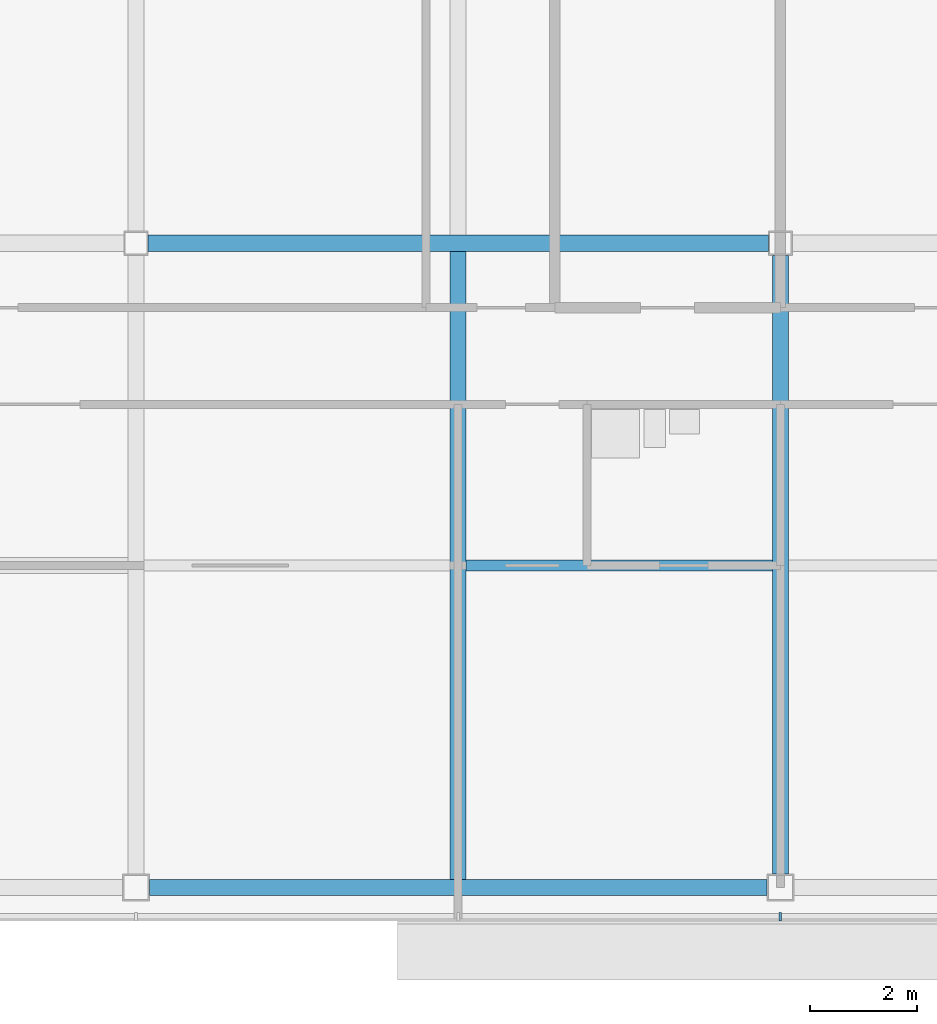
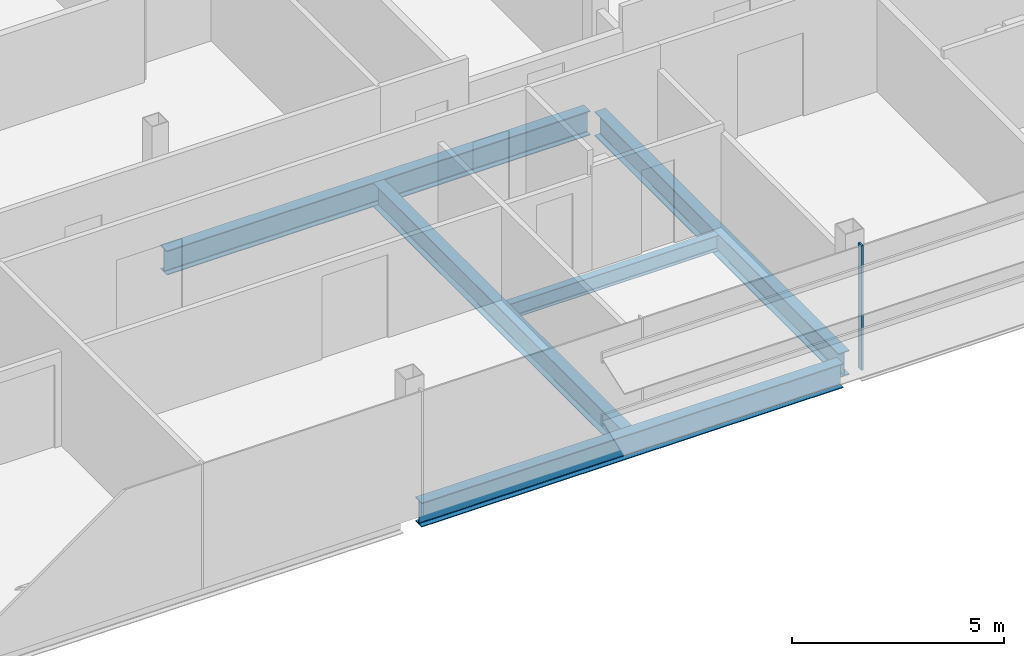
# One storey, part 5 of 27: 5 beams, 1 member, 1 element without a shape of its own.
"""IFC4 building model written with IfcOpenShell, lengths in metres."""

from ifc_helpers import new_model, si_unit, direction, frame, origin, origin_2d, place, context, subcontext, project, spatial, rectangle, i_section, extrude, material, material_profile, profile_set, type_object, element, aggregate, save


model = new_model("IFC4")

# Units and contexts
model_context = context("Model", 3, precision=1e-05, world=origin(), true_north=direction((0.0, 1.0)))
body_context = subcontext(model_context, "Body", "Model", "MODEL_VIEW")
ifc_project = project(units=[si_unit("LENGTHUNIT", "METRE"), si_unit("AREAUNIT", "SQUARE_METRE"), si_unit("VOLUMEUNIT", "CUBIC_METRE"), si_unit("PLANEANGLEUNIT", "RADIAN"), si_unit("MASSUNIT", "GRAM", prefix="KILO")], contexts=[model_context])

# Site, building, storey
site_placement = place(None, origin())
site = spatial("IfcSite", under=ifc_project, at=site_placement, CompositionType="ELEMENT")
building_placement = place(site_placement, origin())
building = spatial("IfcBuilding", under=site, at=building_placement, Name="Sorahane Residences", CompositionType="ELEMENT")
storey_placement = place(building_placement, frame((0.0, 0.0, 323.199951171875)))
storey = spatial("IfcBuildingStorey", under=building, at=storey_placement, Name="L77", CompositionType="ELEMENT", Elevation=323.199951171875)

# Curtain wall, member
ifc_material_1 = material(Name="Dark low-e glass and black anodised aluminium", Category="aluminium")
curtain_wall_type = type_object("IfcCurtainWallType", Name="Curtain wall CW-1 Typical unitised wall", PredefinedType="NOTDEFINED", material=ifc_material_1)
curtain_wall_placement = place(storey_placement, origin())
curtain_wall = element("IfcCurtainWall", 1, at=curtain_wall_placement, inside=storey, type_object=curtain_wall_type, Name="CW-1 curtain wall L77 S1", PredefinedType="NOTDEFINED")
ifc_material_2 = material(Name="Black anodised aluminium", Category="aluminium")
ifc_material_profile_1 = material_profile(ifc_material_2, rectangle(XDim=0.159912109375, YDim=0.050048828125, at=origin_2d()), Name="Curtain wall mullion CW-1 black anodised aluminium 50x160")
ifc_profile_set_1 = profile_set([ifc_material_profile_1], Name="Black anodised aluminium")
member_type = type_object("IfcMemberType", Name="Curtain wall mullion CW-1 black anodised aluminium 50x160", PredefinedType="MULLION", material=ifc_profile_set_1)
member_placement = place(storey_placement, frame((12.0, -0.5400390625, -0.179931640625), z_axis=(0.0, 0.0, 1.0), x_axis=(0.0, -1.0, 0.0)))
member = element("IfcMember", 2, at=member_placement, type_object=member_type, Name="CW-1 mullion L77 S1.5", PredefinedType="MULLION", context=body_context, shape_type="SweptSolid", body=[
    extrude(rectangle(XDim=0.159912109375, YDim=0.050048828125, at=origin_2d()), origin(), (0.0, 0.0, 1.0), 3.60009765625),
])
aggregate(curtain_wall, [member])

# Beams
ifc_material_3 = material(Name="Steel Q355B", Category="steel")
ifc_material_profile_2 = material_profile(ifc_material_3, i_section(OverallWidth=0.199951171875, OverallDepth=0.449951171875, WebThickness=0.009033203125, FlangeThickness=0.013916015625, FilletRadius=0.02001953125, at=origin_2d()), Name="HN 450x200x9x14")
ifc_profile_set_2 = profile_set([ifc_material_profile_2], Name="Steel Q355B")
beam_type_1 = type_object("IfcBeamType", Name="Steel floor beam HN 450x200x9x14 Q355B", PredefinedType="BEAM", material=ifc_profile_set_2)
beam_1_placement = place(storey_placement, frame((6.14990234375, 6.0, -0.405029296875), z_axis=(1.0, 0.0, 0.0), x_axis=(0.0, 1.0, 0.0)))
element("IfcBeam", 3, at=beam_1_placement, inside=storey, type_object=beam_type_1, Name="Beam L77 069", PredefinedType="BEAM", context=body_context, shape_type="SweptSolid", body=[
    extrude(i_section(OverallWidth=0.199951171875, OverallDepth=0.449951171875, WebThickness=0.009033203125, FlangeThickness=0.013916015625, FilletRadius=0.02001953125, at=origin_2d()), origin(), (0.0, 0.0, 1.0), 5.7001953125),
])
ifc_material_4 = material(Name="Steel Q355B", Category="steel")
ifc_material_profile_3 = material_profile(ifc_material_4, i_section(OverallWidth=0.300048828125, OverallDepth=0.699951171875, WebThickness=0.012939453125, FlangeThickness=0.02392578125, FilletRadius=0.028076171875, at=origin_2d()), Name="HN 700x300x13x24")
ifc_profile_set_3 = profile_set([ifc_material_profile_3], Name="Steel Q355B")
beam_type_2 = type_object("IfcBeamType", Name="Steel floor beam HN 700x300x13x24 Q355B", PredefinedType="BEAM", material=ifc_profile_set_3)
beam_2_placement = place(storey_placement, frame((0.25, 0.0, -0.530029296875), z_axis=(1.0, 0.0, 0.0), x_axis=(0.0, 1.0, 0.0)))
element("IfcBeam", 4, at=beam_2_placement, inside=storey, type_object=beam_type_2, Name="Beam L77 001", PredefinedType="BEAM", context=body_context, shape_type="SweptSolid", body=[
    extrude(i_section(OverallWidth=0.300048828125, OverallDepth=0.699951171875, WebThickness=0.012939453125, FlangeThickness=0.02392578125, FilletRadius=0.028076171875, at=origin_2d()), origin(), (0.0, 0.0, 1.0), 11.5),
])
beam_3_placement = place(storey_placement, frame((0.22509765625, 12.0, -0.530029296875), z_axis=(1.0, 0.0, 0.0), x_axis=(0.0, 1.0, 0.0)))
element("IfcBeam", 5, at=beam_3_placement, inside=storey, type_object=beam_type_2, Name="Beam L77 007", PredefinedType="BEAM", context=body_context, shape_type="SweptSolid", body=[
    extrude(i_section(OverallWidth=0.300048828125, OverallDepth=0.699951171875, WebThickness=0.012939453125, FlangeThickness=0.02392578125, FilletRadius=0.028076171875, at=origin_2d()), origin(), (0.0, 0.0, 1.0), 11.5498046875),
])
beam_4_placement = place(storey_placement, frame((6.0, 0.14990234375, -0.530029296875), z_axis=(0.0, 1.0, 0.0), x_axis=(-1.0, 0.0, 0.0)))
element("IfcBeam", 6, at=beam_4_placement, inside=storey, type_object=beam_type_2, Name="Beam L77 032", PredefinedType="BEAM", context=body_context, shape_type="SweptSolid", body=[
    extrude(i_section(OverallWidth=0.300048828125, OverallDepth=0.699951171875, WebThickness=0.012939453125, FlangeThickness=0.02392578125, FilletRadius=0.028076171875, at=origin_2d()), origin(), (0.0, 0.0, 1.0), 11.7001953125),
])
beam_5_placement = place(storey_placement, frame((12.0, 0.25, -0.530029296875), z_axis=(0.0, 1.0, 0.0), x_axis=(-1.0, 0.0, 0.0)))
element("IfcBeam", 7, at=beam_5_placement, inside=storey, type_object=beam_type_2, Name="Beam L77 038", PredefinedType="BEAM", context=body_context, shape_type="SweptSolid", body=[
    extrude(i_section(OverallWidth=0.300048828125, OverallDepth=0.699951171875, WebThickness=0.012939453125, FlangeThickness=0.02392578125, FilletRadius=0.028076171875, at=origin_2d()), origin(), (0.0, 0.0, 1.0), 11.52490234375),
])

save(model, "model.ifc")
